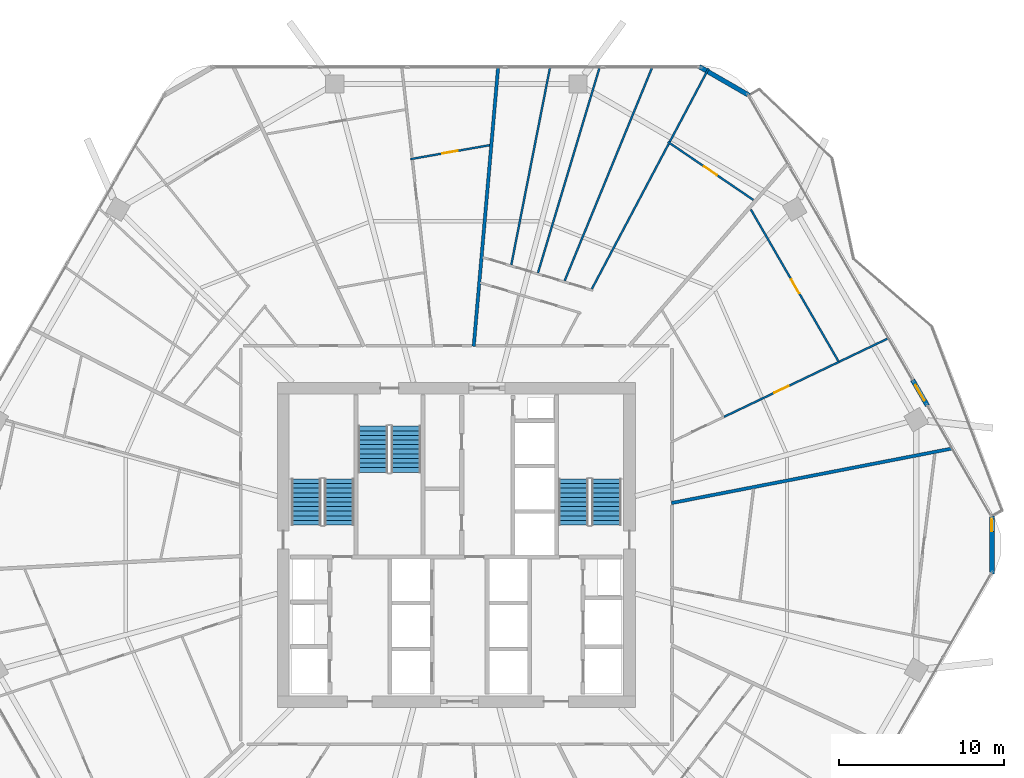
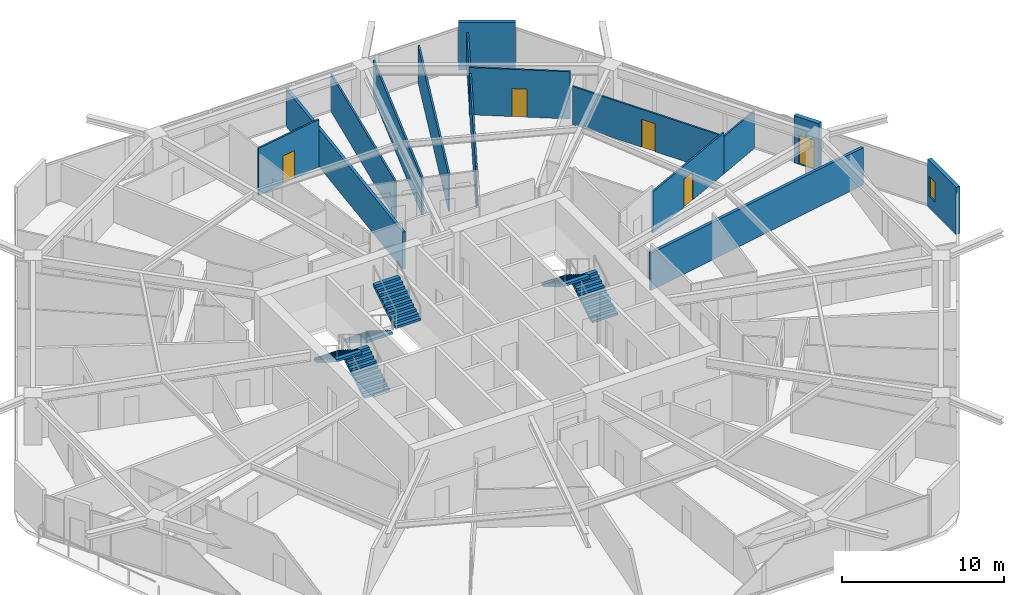
# One storey, part 26 of 29: 15 walls, 6 stair flights, 5 doors, 1 window, 6 openings, 3 elements without a shape of their own.
"""IFC4 building model written with IfcOpenShell, lengths in metres."""

from ifc_helpers import new_model, si_unit, direction, frame, frame_2d, origin, place, context, subcontext, project, spatial, polyline, rectangle, outline, extrude, material, layer, layer_set, type_object, element, fill, aggregate, save


model = new_model("IFC4")

# Units and contexts
model_context = context("Model", 3, precision=1e-05, world=origin(), true_north=direction((0.0, 1.0)))
body_context = subcontext(model_context, "Body", "Model", "MODEL_VIEW")
ifc_project = project(units=[si_unit("LENGTHUNIT", "METRE"), si_unit("AREAUNIT", "SQUARE_METRE"), si_unit("VOLUMEUNIT", "CUBIC_METRE"), si_unit("PLANEANGLEUNIT", "RADIAN"), si_unit("MASSUNIT", "GRAM", prefix="KILO")], contexts=[model_context])

# Site, building, storey
site_placement = place(None, origin())
site = spatial("IfcSite", under=ifc_project, at=site_placement, CompositionType="ELEMENT")
building_placement = place(site_placement, origin())
building = spatial("IfcBuilding", under=site, at=building_placement, Name="Zuhravey Tower", CompositionType="ELEMENT")
storey_placement = place(building_placement, frame((0.0, 0.0, 134.199951171875)))
storey = spatial("IfcBuildingStorey", under=building, at=storey_placement, Name="L33", CompositionType="ELEMENT", Elevation=134.199951171875)

# Wall
ifc_material_1 = material(Name="Precast concrete C40/50", Category="concrete")
ifc_layer_1 = layer(ifc_material_1, 0.280029296875)
ifc_layer_set_1 = layer_set([ifc_layer_1], Name="Precast concrete C40/50")
wall_type_1 = type_object("IfcWallType", Name="Crown Architectural Wall 280", PredefinedType="SOLIDWALL", material=ifc_layer_set_1)
wall_1_placement = place(storey_placement, frame((50.71728515625, 61.006103515625, 0.0), z_axis=(0.0, 0.0, 1.0), x_axis=(0.866007452331, -0.500031091541, 0.0)))
element("IfcWall", 1, at=wall_1_placement, inside=storey, type_object=wall_type_1, Name="L33 Rounded Corner Closure Wall EW28-10", PredefinedType="SOLIDWALL", context=body_context, shape_type="SweptSolid", body=[
    extrude(rectangle(XDim=3.514892578125, YDim=0.280029296875, at=frame_2d((1.75732421875, 0.0))), origin(), (0.0, 0.0, 1.0), 3.550048828125),
])

# Wall, opening, door
wall_2_placement = place(storey_placement, frame((63.668212890625, 41.993896484375, 0.0), z_axis=(0.0, 0.0, 1.0), x_axis=(0.499982180423, -0.866035691677, 0.0)))
wall_2 = element("IfcWall", 2, at=wall_2_placement, inside=storey, type_object=wall_type_1, Name="L33 Face 1 Facade Pier EW28-1", PredefinedType="SOLIDWALL", context=body_context, shape_type="SweptSolid", body=[
    extrude(rectangle(XDim=1.7900390625, YDim=0.280029296875, at=frame_2d((0.89501953125, 0.0))), origin(), (0.0, 0.0, 1.0), 3.550048828125),
])
opening_1_placement = place(wall_2_placement, frame((0.344970703125, 0.0, 0.0)))
opening_1 = element("IfcOpeningElement", 3, at=opening_1_placement, cuts=wall_2, Name="Opening BLD1", PredefinedType="OPENING", context=body_context, shape_type="SweptSolid", body=[
    extrude(rectangle(XDim=1.10009765625, YDim=2.199951171875, at=frame_2d((0.550048828125, 1.10009765625))), frame((0.0, 0.152099609375, 0.0), z_axis=(0.0, -1.0, 0.0), x_axis=(1.0, 0.0, 0.0)), (0.0, 0.0, 1.0), 0.303955078125),
])
ifc_material_2 = material(Name="Thermally broken aluminium and low-E glass", Category="aluminium")
door_type_1 = type_object("IfcDoorType", Name="Balcony & Sky-Tray Glazed Door 1100x2200", OperationType="NOTDEFINED", PredefinedType="DOOR", material=ifc_material_2)
door_1_placement = place(opening_1_placement, frame((1.10009765625, 0.0, 0.0), z_axis=(0.0, 0.0, 1.0), x_axis=(-1.0, 0.0, 0.0)))
door_1 = element("IfcDoor", 4, at=door_1_placement, inside=storey, type_object=door_type_1, Name="L33 Face 1 Wave Balcony Door", OperationType="SINGLE_SWING_RIGHT", OverallHeight=2.199951171875, OverallWidth=1.10009765625, PredefinedType="DOOR", context=body_context, shape_type="SweptSolid", body=[
    extrude(rectangle(XDim=1.10009765625, YDim=2.199951171875, at=frame_2d((0.550048828125, 1.10009765625))), frame((0.0, 0.02490234375, 0.0), z_axis=(0.0, -1.0, 0.0), x_axis=(1.0, 0.0, 0.0)), (0.0, 0.0, 1.0), 0.050048828125),
])
fill(opening_1, door_1)

# Wall, opening, window
wall_3_placement = place(storey_placement, frame((68.478515625, 33.757568359375, 0.0), z_axis=(0.0, 0.0, 1.0), x_axis=(0.0, -1.0, 0.0)))
wall_3 = element("IfcWall", 5, at=wall_3_placement, inside=storey, type_object=wall_type_1, Name="L33 Rounded Corner Closure Wall EW28-12", PredefinedType="SOLIDWALL", context=body_context, shape_type="SweptSolid", body=[
    extrude(rectangle(XDim=3.51513671875, YDim=0.280029296875, at=frame_2d((1.757568359375, 0.0))), origin(), (0.0, 0.0, 1.0), 3.550048828125),
])
opening_2_placement = place(wall_3_placement, frame((0.18212890625, 0.0, 0.85009765625)))
opening_2 = element("IfcOpeningElement", 6, at=opening_2_placement, cuts=wall_3, Name="Opening WN5", PredefinedType="OPENING", context=body_context, shape_type="SweptSolid", body=[
    extrude(rectangle(XDim=0.75, YDim=1.5, at=frame_2d((0.375, 0.75))), frame((0.0, 0.152099609375, 0.0), z_axis=(0.0, -1.0, 0.0), x_axis=(1.0, 0.0, 0.0)), (0.0, 0.0, 1.0), 0.303955078125),
])
ifc_material_3 = material(Name="Thermally broken aluminium and triple low-E glass", Category="aluminium")
window_type = type_object("IfcWindowType", Name="Residential Corner Casement Window 750x1500", PartitioningType="SINGLE_PANEL", PredefinedType="WINDOW", material=ifc_material_3)
window_placement = place(opening_2_placement, origin())
window = element("IfcWindow", 7, at=window_placement, inside=storey, type_object=window_type, Name="L33 Corner Casement Window WN5-12.1", OverallHeight=1.5, OverallWidth=0.75, PartitioningType="SINGLE_PANEL", PredefinedType="WINDOW", context=body_context, shape_type="SweptSolid", body=[
    extrude(rectangle(XDim=0.75, YDim=1.5, at=frame_2d((0.375, 0.75))), frame((0.0, 0.030029296875, 0.0), z_axis=(0.0, -1.0, 0.0), x_axis=(1.0, 0.0, 0.0)), (0.0, 0.0, 1.0), 0.06005859375),
])
fill(opening_2, window)

# Walls
ifc_material_4 = material(Name="Gypsum double-stud party assembly")
ifc_layer_2 = layer(ifc_material_4, 0.199951171875)
ifc_layer_set_2 = layer_set([ifc_layer_2], Name="Gypsum double-stud party assembly")
wall_type_2 = type_object("IfcWallType", Name="Inter-Tenancy Party Wall 200", PredefinedType="PARTITIONING", material=ifc_layer_set_2)
wall_4_placement = place(storey_placement, frame((49.0400390625, 34.53466796875, 0.0), z_axis=(0.0, 0.0, 1.0), x_axis=(0.981625938162, 0.190815401706, 0.0)))
element("IfcWall", 8, at=wall_4_placement, inside=storey, type_object=wall_type_2, Name="L33 IW20 Partition 075", PredefinedType="PARTITIONING", context=body_context, shape_type="SweptSolid", body=[
    extrude(rectangle(XDim=17.343017578125, YDim=0.199951171875, at=frame_2d((8.67138671875, 0.0))), origin(), (0.0, 0.0, 1.0), 2.800048828125),
])
wall_5_placement = place(storey_placement, frame((37.053466796875, 44.0400390625, 0.0), z_axis=(0.0, 0.0, 1.0), x_axis=(0.087144480826, 0.996195683318, 0.0)))
element("IfcWall", 9, at=wall_5_placement, inside=storey, type_object=wall_type_2, Name="L33 IW20 Partition 087", PredefinedType="PARTITIONING", context=body_context, shape_type="SweptSolid", body=[
    extrude(rectangle(XDim=16.983154296875, YDim=0.199951171875, at=frame_2d((8.49169921875, 0.0))), origin(), (0.0, 0.0, 1.0), 2.800048828125),
])

# Wall, opening, door
ifc_material_5 = material(Name="Gypsum metal-stud partition")
ifc_layer_3 = layer(ifc_material_5, 0.1201171875)
ifc_layer_set_3 = layer_set([ifc_layer_3], Name="Gypsum metal-stud partition")
wall_type_3 = type_object("IfcWallType", Name="Unit Internal Partition 120", PredefinedType="PARTITIONING", material=ifc_layer_set_3)
wall_6_placement = place(storey_placement, frame((52.232421875, 39.763427734375, 0.0), z_axis=(0.0, 0.0, 1.0), x_axis=(0.902143295933, 0.43143652326, 0.0)))
wall_6 = element("IfcWall", 10, at=wall_6_placement, inside=storey, type_object=wall_type_3, Name="L33 IW12 Partition 020", PredefinedType="PARTITIONING", context=body_context, shape_type="SweptSolid", body=[
    extrude(rectangle(XDim=7.739990234375, YDim=0.1201171875, at=frame_2d((3.8701171875, 0.0))), origin(), (0.0, 0.0, 1.0), 3.10009765625),
])
opening_3_placement = place(wall_6_placement, frame((3.3701171875, 0.0, 0.0)))
opening_3 = element("IfcOpeningElement", 11, at=opening_3_placement, cuts=wall_6, Name="Opening IND1", PredefinedType="OPENING", context=body_context, shape_type="SweptSolid", body=[
    extrude(rectangle(XDim=0.949951171875, YDim=2.10009765625, at=frame_2d((0.47509765625, 1.050048828125))), frame((0.0, 0.072021484375, 0.0), z_axis=(0.0, -1.0, 0.0), x_axis=(1.0, 0.0, 0.0)), (0.0, 0.0, 1.0), 0.14404296875),
])
ifc_material_6 = material(Name="Painted engineered timber leaf", Category="wood")
door_type_2 = type_object("IfcDoorType", Name="Internal Room & Bedroom Door 950x2100", OperationType="NOTDEFINED", PredefinedType="DOOR", material=ifc_material_6)
door_2_placement = place(opening_3_placement, origin())
door_2 = element("IfcDoor", 12, at=door_2_placement, inside=storey, type_object=door_type_2, Name="Apartment L33-01 Home Office Door", OperationType="SINGLE_SWING_RIGHT", OverallHeight=2.10009765625, OverallWidth=0.949951171875, PredefinedType="DOOR", context=body_context, shape_type="SweptSolid", body=[
    extrude(rectangle(XDim=0.949951171875, YDim=2.10009765625, at=frame_2d((0.47509765625, 1.050048828125))), frame((0.0, 0.02490234375, 0.0), z_axis=(0.0, -1.0, 0.0), x_axis=(1.0, 0.0, 0.0)), (0.0, 0.0, 1.0), 0.050048828125),
])
fill(opening_3, door_2)

wall_7_placement = place(storey_placement, frame((59.158447265625, 43.151123046875, 0.0), z_axis=(0.0, 0.0, 1.0), x_axis=(-0.500002146898, 0.866024164269, 0.0)))
wall_7 = element("IfcWall", 13, at=wall_7_placement, inside=storey, type_object=wall_type_3, Name="L33 IW12 Partition 021", PredefinedType="PARTITIONING", context=body_context, shape_type="SweptSolid", body=[
    extrude(rectangle(XDim=10.603515625, YDim=0.1201171875, at=frame_2d((5.3017578125, 0.0))), origin(), (0.0, 0.0, 1.0), 2.85009765625),
])
opening_4_placement = place(wall_7_placement, frame((4.742431640625, 0.0, 0.0)))
opening_4 = element("IfcOpeningElement", 14, at=opening_4_placement, cuts=wall_7, Name="Opening IND1", PredefinedType="OPENING", context=body_context, shape_type="SweptSolid", body=[
    extrude(rectangle(XDim=0.949951171875, YDim=2.10009765625, at=frame_2d((0.47509765625, 1.050048828125))), frame((0.0, 0.072021484375, 0.0), z_axis=(0.0, -1.0, 0.0), x_axis=(1.0, 0.0, 0.0)), (0.0, 0.0, 1.0), 0.14404296875),
])
door_3_placement = place(opening_4_placement, frame((0.949951171875, 0.0, 0.0), z_axis=(0.0, 0.0, 1.0), x_axis=(-1.0, 0.0, 0.0)))
door_3 = element("IfcDoor", 15, at=door_3_placement, inside=storey, type_object=door_type_2, Name="Apartment L33-01 Bedroom 1 Door", OperationType="SINGLE_SWING_LEFT", OverallHeight=2.10009765625, OverallWidth=0.949951171875, PredefinedType="DOOR", context=body_context, shape_type="SweptSolid", body=[
    extrude(rectangle(XDim=0.949951171875, YDim=2.10009765625, at=frame_2d((0.47509765625, 1.050048828125))), frame((0.0, 0.02490234375, 0.0), z_axis=(0.0, -1.0, 0.0), x_axis=(1.0, 0.0, 0.0)), (0.0, 0.0, 1.0), 0.050048828125),
])
fill(opening_4, door_3)

wall_8_placement = place(storey_placement, frame((54.0009765625, 52.922607421875, 0.0), z_axis=(0.0, 0.0, 1.0), x_axis=(-0.827088330425, 0.562071964854, 0.0)))
wall_8 = element("IfcWall", 16, at=wall_8_placement, inside=storey, type_object=wall_type_3, Name="L33 IW12 Partition 023", PredefinedType="PARTITIONING", context=body_context, shape_type="SweptSolid", body=[
    extrude(rectangle(XDim=6.256103515625, YDim=0.1201171875, at=frame_2d((3.1279296875, 0.0))), origin(), (0.0, 0.0, 1.0), 3.550048828125),
])
opening_5_placement = place(wall_8_placement, frame((2.653076171875, 0.0, 0.0)))
opening_5 = element("IfcOpeningElement", 17, at=opening_5_placement, cuts=wall_8, Name="Opening IND1", PredefinedType="OPENING", context=body_context, shape_type="SweptSolid", body=[
    extrude(rectangle(XDim=0.949951171875, YDim=2.10009765625, at=frame_2d((0.47509765625, 1.050048828125))), frame((0.0, 0.072021484375, 0.0), z_axis=(0.0, -1.0, 0.0), x_axis=(1.0, 0.0, 0.0)), (0.0, 0.0, 1.0), 0.14404296875),
])
door_4_placement = place(opening_5_placement, frame((0.949951171875, 0.0, 0.0), z_axis=(0.0, 0.0, 1.0), x_axis=(-1.0, 0.0, 0.0)))
door_4 = element("IfcDoor", 18, at=door_4_placement, inside=storey, type_object=door_type_2, Name="Apartment L33-02 Family Study Door", OperationType="SINGLE_SWING_LEFT", OverallHeight=2.10009765625, OverallWidth=0.949951171875, PredefinedType="DOOR", context=body_context, shape_type="SweptSolid", body=[
    extrude(rectangle(XDim=0.949951171875, YDim=2.10009765625, at=frame_2d((0.47509765625, 1.050048828125))), frame((0.0, 0.02490234375, 0.0), z_axis=(0.0, -1.0, 0.0), x_axis=(1.0, 0.0, 0.0)), (0.0, 0.0, 1.0), 0.050048828125),
])
fill(opening_5, door_4)

wall_9_placement = place(storey_placement, frame((38.007568359375, 56.234375, 0.0), z_axis=(0.0, 0.0, 1.0), x_axis=(-0.984810882198, -0.173630430239, 0.0)))
wall_9 = element("IfcWall", 19, at=wall_9_placement, inside=storey, type_object=wall_type_3, Name="L33 IW12 Partition 027", PredefinedType="PARTITIONING", context=body_context, shape_type="SweptSolid", body=[
    extrude(rectangle(XDim=4.855224609375, YDim=0.1201171875, at=frame_2d((2.427734375, 0.0))), origin(), (0.0, 0.0, 1.0), 3.550048828125),
])
opening_6_placement = place(wall_9_placement, frame((1.95263671875, 0.0, 0.0)))
opening_6 = element("IfcOpeningElement", 20, at=opening_6_placement, cuts=wall_9, Name="Opening IND1", PredefinedType="OPENING", context=body_context, shape_type="SweptSolid", body=[
    extrude(rectangle(XDim=0.949951171875, YDim=2.10009765625, at=frame_2d((0.47509765625, 1.050048828125))), frame((0.0, 0.072021484375, 0.0), z_axis=(0.0, -1.0, 0.0), x_axis=(1.0, 0.0, 0.0)), (0.0, 0.0, 1.0), 0.14404296875),
])
door_5_placement = place(opening_6_placement, frame((0.949951171875, 0.0, 0.0), z_axis=(0.0, 0.0, 1.0), x_axis=(-1.0, 0.0, 0.0)))
door_5 = element("IfcDoor", 21, at=door_5_placement, inside=storey, type_object=door_type_2, Name="Apartment L33-03 Family Study Door", OperationType="SINGLE_SWING_LEFT", OverallHeight=2.10009765625, OverallWidth=0.949951171875, PredefinedType="DOOR", context=body_context, shape_type="SweptSolid", body=[
    extrude(rectangle(XDim=0.949951171875, YDim=2.10009765625, at=frame_2d((0.47509765625, 1.050048828125))), frame((0.0, 0.02490234375, 0.0), z_axis=(0.0, -1.0, 0.0), x_axis=(1.0, 0.0, 0.0)), (0.0, 0.0, 1.0), 0.050048828125),
])
fill(opening_6, door_5)

# Walls
wall_10_placement = place(storey_placement, frame((59.215087890625, 43.102783203125, 0.0), z_axis=(0.0, 0.0, 1.0), x_axis=(0.902135467198, 0.431452892936, 0.0)))
element("IfcWall", 22, at=wall_10_placement, inside=storey, type_object=wall_type_3, Name="L33 IW12 Partition 077", PredefinedType="PARTITIONING", context=body_context, shape_type="SweptSolid", body=[
    extrude(rectangle(XDim=3.317138671875, YDim=0.1201171875, at=frame_2d((1.65869140625, 0.0))), origin(), (0.0, 0.0, 1.0), 2.800048828125),
])
wall_11_placement = place(storey_placement, frame((42.56689453125, 48.01123046875, 0.0), z_axis=(0.0, 0.0, 1.0), x_axis=(0.379443868759, 0.925214759103, 0.0)))
element("IfcWall", 23, at=wall_11_placement, inside=storey, type_object=wall_type_3, Name="L33 IW12 Partition 081", PredefinedType="PARTITIONING", context=body_context, shape_type="SweptSolid", body=[
    extrude(rectangle(XDim=14.004638671875, YDim=0.1201171875, at=frame_2d((7.00244140625, 0.0))), origin(), (0.0, 0.0, 1.0), 2.800048828125),
])
wall_12_placement = place(storey_placement, frame((40.94921875, 48.49658203125, 0.0), z_axis=(0.0, 0.0, 1.0), x_axis=(0.287356486292, 0.957823704961, 0.0)))
element("IfcWall", 24, at=wall_12_placement, inside=storey, type_object=wall_type_3, Name="L33 IW12 Partition 082", PredefinedType="PARTITIONING", context=body_context, shape_type="SweptSolid", body=[
    extrude(rectangle(XDim=13.02099609375, YDim=0.1201171875, at=frame_2d((6.510498046875, 0.0))), origin(), (0.0, 0.0, 1.0), 2.800048828125),
])
wall_13_placement = place(storey_placement, frame((39.331787109375, 48.98193359375, 0.0), z_axis=(0.0, 0.0, 1.0), x_axis=(0.192513335822, 0.98129435723, 0.0)))
element("IfcWall", 25, at=wall_13_placement, inside=storey, type_object=wall_type_3, Name="L33 IW12 Partition 083", PredefinedType="PARTITIONING", context=body_context, shape_type="SweptSolid", body=[
    extrude(rectangle(XDim=12.215087890625, YDim=0.1201171875, at=frame_2d((6.107421875, 0.0))), origin(), (0.0, 0.0, 1.0), 2.800048828125),
])
wall_14_placement = place(storey_placement, frame((44.2158203125, 47.5166015625, 0.0), z_axis=(0.0, 0.0, 1.0), x_axis=(0.467901230601, 0.883780763765, 0.0)))
element("IfcWall", 26, at=wall_14_placement, inside=storey, type_object=wall_type_3, Name="L33 IW12 Partition 085", PredefinedType="PARTITIONING", context=body_context, shape_type="SweptSolid", body=[
    extrude(rectangle(XDim=9.96337890625, YDim=0.1201171875, at=frame_2d((4.981689453125, 0.0))), origin(), (0.0, 0.0, 1.0), 3.10009765625),
])
wall_15_placement = place(storey_placement, frame((48.94189453125, 56.44287109375, 0.0), z_axis=(0.0, 0.0, 1.0), x_axis=(0.467903344083, 0.883779644819, 0.0)))
element("IfcWall", 27, at=wall_15_placement, inside=storey, type_object=wall_type_3, Name="L33 IW12 Partition 086", PredefinedType="PARTITIONING", context=body_context, shape_type="SweptSolid", body=[
    extrude(rectangle(XDim=5.025634765625, YDim=0.1201171875, at=frame_2d((2.5126953125, 0.0))), origin(), (0.0, 0.0, 1.0), 2.800048828125),
])

# Stair, stair flights
ifc_material_7 = material(Name="Concrete C40/50", Category="concrete")
stair_type = type_object("IfcStairType", Name="Housing Storey Stair Assembly 3800", PredefinedType="HALF_TURN_STAIR", material=ifc_material_7)
stair_1_placement = place(storey_placement, origin())
stair_1 = element("IfcStair", 28, at=stair_1_placement, inside=storey, type_object=stair_type, Name="L33 Core Exit Stair ST1", PredefinedType="HALF_TURN_STAIR")
stair_flight_type = type_object("IfcStairFlightType", Name="Housing Storey Stair Flight 3800", PredefinedType="STRAIGHT", material=ifc_material_7)
stair_flight_1_placement = place(storey_placement, frame((28.89990234375, 33.199951171875, 0.0), z_axis=(0.0, 0.0, 1.0), x_axis=(0.0, 1.0, 0.0)))
stair_flight_1 = element("IfcStairFlight", 29, at=stair_flight_1_placement, type_object=stair_flight_type, Name="ST1 flight 1", NumberOfRisers=11, NumberOfTreads=10, PredefinedType="STRAIGHT", RiserHeight=0.172727273, TreadLength=0.28, context=body_context, shape_type="SweptSolid", body=[
    extrude(outline(polyline([(0.0, 0.0), (0.0, 0.172607421875), (0.280029296875, 0.172607421875), (0.280029296875, 0.345458984375), (0.56005859375, 0.345458984375), (0.56005859375, 0.51806640625), (0.840087890625, 0.51806640625), (0.840087890625, 0.69091796875), (1.1201171875, 0.69091796875), (1.1201171875, 0.863525390625), (1.39990234375, 0.863525390625), (1.39990234375, 1.036376953125), (1.679931640625, 1.036376953125), (1.679931640625, 1.208984375), (1.9599609375, 1.208984375), (1.9599609375, 1.3818359375), (2.239990234375, 1.3818359375), (2.239990234375, 1.554443359375), (2.52001953125, 1.554443359375), (2.52001953125, 1.727294921875), (2.800048828125, 1.727294921875), (2.800048828125, 1.89990234375), (2.800048828125, 1.551025390625), (0.285400390625, 0.0), (0.0, 0.0)])), frame((0.0, 0.89990234375, 0.0), z_axis=(0.0, -1.0, 0.0), x_axis=(1.0, 0.0, 0.0)), (0.0, 0.0, 1.0), 1.800048828125),
])
stair_flight_2_placement = place(storey_placement, frame((26.89990234375, 36.0, 1.900146484375), z_axis=(0.0, 0.0, 1.0), x_axis=(0.0, -1.0, 0.0)))
stair_flight_2 = element("IfcStairFlight", 30, at=stair_flight_2_placement, type_object=stair_flight_type, Name="ST1 flight 2", NumberOfRisers=11, NumberOfTreads=10, PredefinedType="STRAIGHT", RiserHeight=0.172727273, TreadLength=0.28, context=body_context, shape_type="SweptSolid", body=[
    extrude(outline(polyline([(0.0, 0.0), (0.0, 0.172607421875), (0.280029296875, 0.172607421875), (0.280029296875, 0.345458984375), (0.56005859375, 0.345458984375), (0.56005859375, 0.51806640625), (0.840087890625, 0.51806640625), (0.840087890625, 0.69091796875), (1.1201171875, 0.69091796875), (1.1201171875, 0.863525390625), (1.39990234375, 0.863525390625), (1.39990234375, 1.036376953125), (1.679931640625, 1.036376953125), (1.679931640625, 1.208984375), (1.9599609375, 1.208984375), (1.9599609375, 1.3818359375), (2.239990234375, 1.3818359375), (2.239990234375, 1.554443359375), (2.52001953125, 1.554443359375), (2.52001953125, 1.727294921875), (2.800048828125, 1.727294921875), (2.800048828125, 1.89990234375), (2.800048828125, 1.551025390625), (0.285400390625, 0.0), (0.0, 0.0)])), frame((0.0, 0.89990234375, 0.0), z_axis=(0.0, -1.0, 0.0), x_axis=(1.0, 0.0, 0.0)), (0.0, 0.0, 1.0), 1.800048828125),
])
aggregate(stair_1, [stair_flight_1, stair_flight_2])

stair_2_placement = place(storey_placement, origin())
stair_2 = element("IfcStair", 31, at=stair_2_placement, inside=storey, type_object=stair_type, Name="L33 Core Exit Stair ST2", PredefinedType="HALF_TURN_STAIR")
stair_flight_3_placement = place(storey_placement, frame((45.10009765625, 33.199951171875, 0.0), z_axis=(0.0, 0.0, 1.0), x_axis=(0.0, 1.0, 0.0)))
stair_flight_3 = element("IfcStairFlight", 32, at=stair_flight_3_placement, type_object=stair_flight_type, Name="ST2 flight 1", NumberOfRisers=11, NumberOfTreads=10, PredefinedType="STRAIGHT", RiserHeight=0.172727273, TreadLength=0.28, context=body_context, shape_type="SweptSolid", body=[
    extrude(outline(polyline([(0.0, 0.0), (0.0, 0.172607421875), (0.280029296875, 0.172607421875), (0.280029296875, 0.345458984375), (0.56005859375, 0.345458984375), (0.56005859375, 0.51806640625), (0.840087890625, 0.51806640625), (0.840087890625, 0.69091796875), (1.1201171875, 0.69091796875), (1.1201171875, 0.863525390625), (1.39990234375, 0.863525390625), (1.39990234375, 1.036376953125), (1.679931640625, 1.036376953125), (1.679931640625, 1.208984375), (1.9599609375, 1.208984375), (1.9599609375, 1.3818359375), (2.239990234375, 1.3818359375), (2.239990234375, 1.554443359375), (2.52001953125, 1.554443359375), (2.52001953125, 1.727294921875), (2.800048828125, 1.727294921875), (2.800048828125, 1.89990234375), (2.800048828125, 1.551025390625), (0.285400390625, 0.0), (0.0, 0.0)])), frame((0.0, 0.89990234375, 0.0), z_axis=(0.0, -1.0, 0.0), x_axis=(1.0, 0.0, 0.0)), (0.0, 0.0, 1.0), 1.800048828125),
])
stair_flight_4_placement = place(storey_placement, frame((43.10009765625, 36.0, 1.900146484375), z_axis=(0.0, 0.0, 1.0), x_axis=(0.0, -1.0, 0.0)))
stair_flight_4 = element("IfcStairFlight", 33, at=stair_flight_4_placement, type_object=stair_flight_type, Name="ST2 flight 2", NumberOfRisers=11, NumberOfTreads=10, PredefinedType="STRAIGHT", RiserHeight=0.172727273, TreadLength=0.28, context=body_context, shape_type="SweptSolid", body=[
    extrude(outline(polyline([(0.0, 0.0), (0.0, 0.172607421875), (0.280029296875, 0.172607421875), (0.280029296875, 0.345458984375), (0.56005859375, 0.345458984375), (0.56005859375, 0.51806640625), (0.840087890625, 0.51806640625), (0.840087890625, 0.69091796875), (1.1201171875, 0.69091796875), (1.1201171875, 0.863525390625), (1.39990234375, 0.863525390625), (1.39990234375, 1.036376953125), (1.679931640625, 1.036376953125), (1.679931640625, 1.208984375), (1.9599609375, 1.208984375), (1.9599609375, 1.3818359375), (2.239990234375, 1.3818359375), (2.239990234375, 1.554443359375), (2.52001953125, 1.554443359375), (2.52001953125, 1.727294921875), (2.800048828125, 1.727294921875), (2.800048828125, 1.89990234375), (2.800048828125, 1.551025390625), (0.285400390625, 0.0), (0.0, 0.0)])), frame((0.0, 0.89990234375, 0.0), z_axis=(0.0, -1.0, 0.0), x_axis=(1.0, 0.0, 0.0)), (0.0, 0.0, 1.0), 1.800048828125),
])
aggregate(stair_2, [stair_flight_3, stair_flight_4])

stair_3_placement = place(storey_placement, origin())
stair_3 = element("IfcStair", 34, at=stair_3_placement, inside=storey, type_object=stair_type, Name="L33 Core Exit Stair ST3", PredefinedType="HALF_TURN_STAIR")
stair_flight_5_placement = place(storey_placement, frame((30.949951171875, 39.199951171875, 0.0), z_axis=(0.0, 0.0, 1.0), x_axis=(0.0, -1.0, 0.0)))
stair_flight_5 = element("IfcStairFlight", 35, at=stair_flight_5_placement, type_object=stair_flight_type, Name="ST3 flight 1", NumberOfRisers=11, NumberOfTreads=10, PredefinedType="STRAIGHT", RiserHeight=0.172727273, TreadLength=0.28, context=body_context, shape_type="SweptSolid", body=[
    extrude(outline(polyline([(0.0, 0.0), (0.0, 0.172607421875), (0.280029296875, 0.172607421875), (0.280029296875, 0.345458984375), (0.56005859375, 0.345458984375), (0.56005859375, 0.51806640625), (0.840087890625, 0.51806640625), (0.840087890625, 0.69091796875), (1.1201171875, 0.69091796875), (1.1201171875, 0.863525390625), (1.39990234375, 0.863525390625), (1.39990234375, 1.036376953125), (1.679931640625, 1.036376953125), (1.679931640625, 1.208984375), (1.9599609375, 1.208984375), (1.9599609375, 1.3818359375), (2.239990234375, 1.3818359375), (2.239990234375, 1.554443359375), (2.52001953125, 1.554443359375), (2.52001953125, 1.727294921875), (2.800048828125, 1.727294921875), (2.800048828125, 1.89990234375), (2.800048828125, 1.551025390625), (0.285400390625, 0.0), (0.0, 0.0)])), frame((0.0, 0.89990234375, 0.0), z_axis=(0.0, -1.0, 0.0), x_axis=(1.0, 0.0, 0.0)), (0.0, 0.0, 1.0), 1.800048828125),
])
stair_flight_6_placement = place(storey_placement, frame((32.949951171875, 36.39990234375, 1.900146484375), z_axis=(0.0, 0.0, 1.0), x_axis=(0.0, 1.0, 0.0)))
stair_flight_6 = element("IfcStairFlight", 36, at=stair_flight_6_placement, type_object=stair_flight_type, Name="ST3 flight 2", NumberOfRisers=11, NumberOfTreads=10, PredefinedType="STRAIGHT", RiserHeight=0.172727273, TreadLength=0.28, context=body_context, shape_type="SweptSolid", body=[
    extrude(outline(polyline([(0.0, 0.0), (0.0, 0.172607421875), (0.280029296875, 0.172607421875), (0.280029296875, 0.345458984375), (0.56005859375, 0.345458984375), (0.56005859375, 0.51806640625), (0.840087890625, 0.51806640625), (0.840087890625, 0.69091796875), (1.1201171875, 0.69091796875), (1.1201171875, 0.863525390625), (1.39990234375, 0.863525390625), (1.39990234375, 1.036376953125), (1.679931640625, 1.036376953125), (1.679931640625, 1.208984375), (1.9599609375, 1.208984375), (1.9599609375, 1.3818359375), (2.239990234375, 1.3818359375), (2.239990234375, 1.554443359375), (2.52001953125, 1.554443359375), (2.52001953125, 1.727294921875), (2.800048828125, 1.727294921875), (2.800048828125, 1.89990234375), (2.800048828125, 1.551025390625), (0.285400390625, 0.0), (0.0, 0.0)])), frame((0.0, 0.89990234375, 0.0), z_axis=(0.0, -1.0, 0.0), x_axis=(1.0, 0.0, 0.0)), (0.0, 0.0, 1.0), 1.800048828125),
])
aggregate(stair_3, [stair_flight_5, stair_flight_6])

save(model, "model.ifc")
